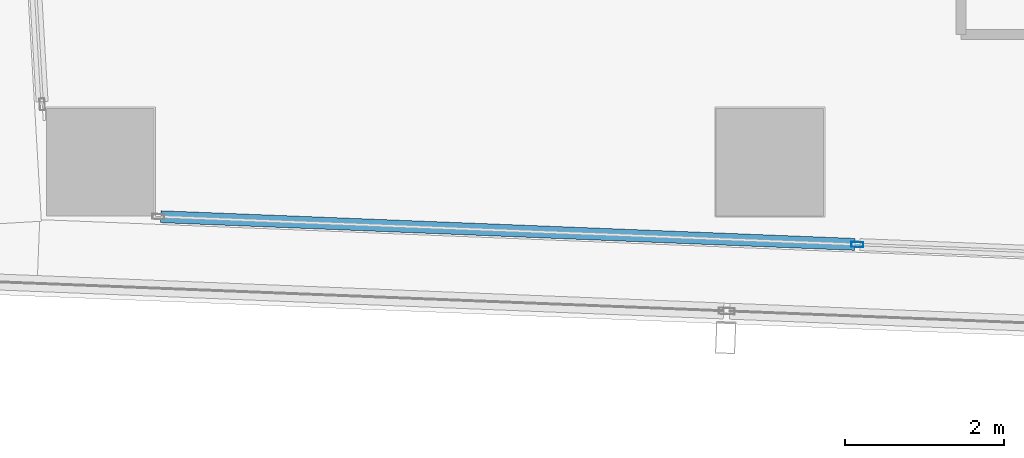
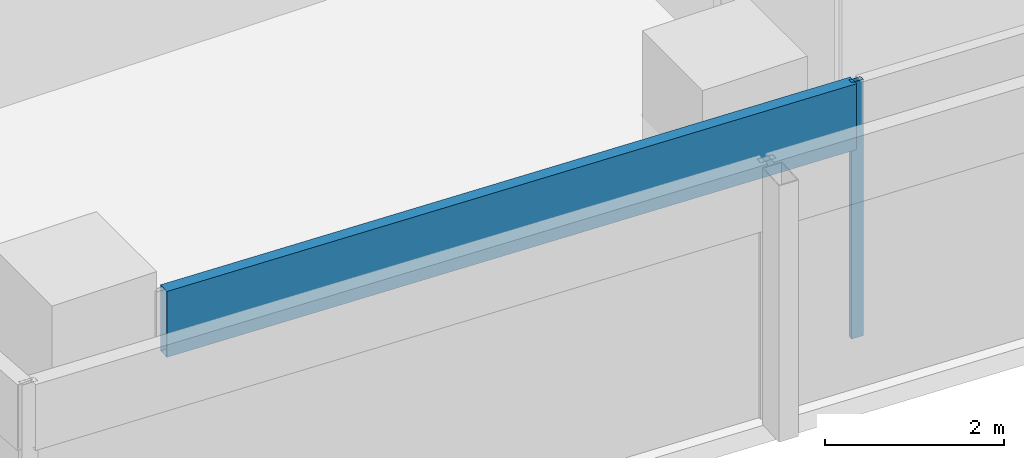
# One storey, part 3 of 39: 2 members, 1 element without a shape of its own.
"""IFC4 building model written with IfcOpenShell, lengths in metres."""

from ifc_helpers import new_model, si_unit, direction, frame, origin, origin_2d, place, context, subcontext, project, spatial, hollow_rectangle, extrude, material, material_profile, profile_set, type_object, element, aggregate, save


model = new_model("IFC4")

# Units and contexts
model_context = context("Model", 3, precision=1e-05, world=origin(), true_north=direction((0.0, 1.0)))
body_context = subcontext(model_context, "Body", "Model", "MODEL_VIEW")
ifc_project = project(units=[si_unit("LENGTHUNIT", "METRE"), si_unit("AREAUNIT", "SQUARE_METRE"), si_unit("VOLUMEUNIT", "CUBIC_METRE"), si_unit("PLANEANGLEUNIT", "RADIAN"), si_unit("MASSUNIT", "GRAM", prefix="KILO")], contexts=[model_context])

# Site, building, storey
site_placement = place(None, origin())
site = spatial("IfcSite", under=ifc_project, at=site_placement, CompositionType="ELEMENT")
building_placement = place(site_placement, origin())
building = spatial("IfcBuilding", under=site, at=building_placement, Name="Rekha Terrace Tower", CompositionType="ELEMENT")
storey_placement = place(building_placement, frame((0.0, 0.0, 221.449951171875)))
storey = spatial("IfcBuildingStorey", under=building, at=storey_placement, Name="L56", CompositionType="ELEMENT", Elevation=221.449951171875)

# Curtain wall, members
ifc_material_1 = material(Name="Aluminium framing", Category="aluminium")
curtain_wall_type = type_object("IfcCurtainWallType", Name="CW1 double skin inner glazing", PredefinedType="USERDEFINED", material=ifc_material_1)
curtain_wall_placement = place(storey_placement, origin())
curtain_wall = element("IfcCurtainWall", 1, at=curtain_wall_placement, inside=storey, type_object=curtain_wall_type, Name="CW1 double skin inner glazing", ObjectType="DOUBLE SKIN INNER GLAZING", PredefinedType="USERDEFINED")
ifc_material_2 = material(Name="Aluminium mullion section", Category="aluminium")
ifc_material_profile_1 = material_profile(ifc_material_2, hollow_rectangle(XDim=0.06494140625, YDim=0.14990234375, WallThickness=0.00390625, at=origin_2d()), Name="AL RHS 65x150")
ifc_profile_set_1 = profile_set([ifc_material_profile_1], Name="Aluminium mullion section")
member_type_1 = type_object("IfcMemberType", Name="CW1 mullion RHS 65 x 150", PredefinedType="MULLION", material=ifc_profile_set_1)
member_1_placement = place(storey_placement, frame((17.89892578125, 15.765869140625, 0.0), z_axis=(0.0, 0.0, 1.0), x_axis=(0.039872497061, 0.999204775798, 0.0)))
member_1 = element("IfcMember", 2, at=member_1_placement, type_object=member_type_1, Name="CW1 mullion 2", PredefinedType="MULLION", context=body_context, shape_type="SweptSolid", body=[
    extrude(hollow_rectangle(XDim=0.06494140625, YDim=0.14990234375, WallThickness=0.00390625, at=origin_2d()), origin(), (0.0, 0.0, 1.0), 3.5),
])
ifc_material_3 = material(Name="Insulated aluminium spandrel box", Category="aluminium")
ifc_material_profile_2 = material_profile(ifc_material_3, hollow_rectangle(XDim=0.14990234375, YDim=0.89990234375, WallThickness=0.0029296875, at=origin_2d()), Name="AL SPANDREL BOX 150x900")
ifc_profile_set_2 = profile_set([ifc_material_profile_2], Name="Insulated aluminium spandrel box")
member_type_2 = type_object("IfcMemberType", Name="CW1 spandrel transom 150 x 900", PredefinedType="USERDEFINED", material=ifc_profile_set_2)
member_2_placement = place(storey_placement, frame((9.15966796875, 16.11474609375, 3.050048828125), z_axis=(0.999204892499, -0.039869572443, 0.0), x_axis=(0.039869572443, 0.999204892499, 0.0)))
member_2 = element("IfcMember", 3, at=member_2_placement, type_object=member_type_2, Name="CW1 spandrel transom 1", ObjectType="TRANSOM", PredefinedType="USERDEFINED", context=body_context, shape_type="SweptSolid", body=[
    extrude(hollow_rectangle(XDim=0.14990234375, YDim=0.89990234375, WallThickness=0.0029296875, at=origin_2d()), origin(), (0.0, 0.0, 1.0), 8.713623046875),
])
aggregate(curtain_wall, [member_1, member_2])

save(model, "model.ifc")
